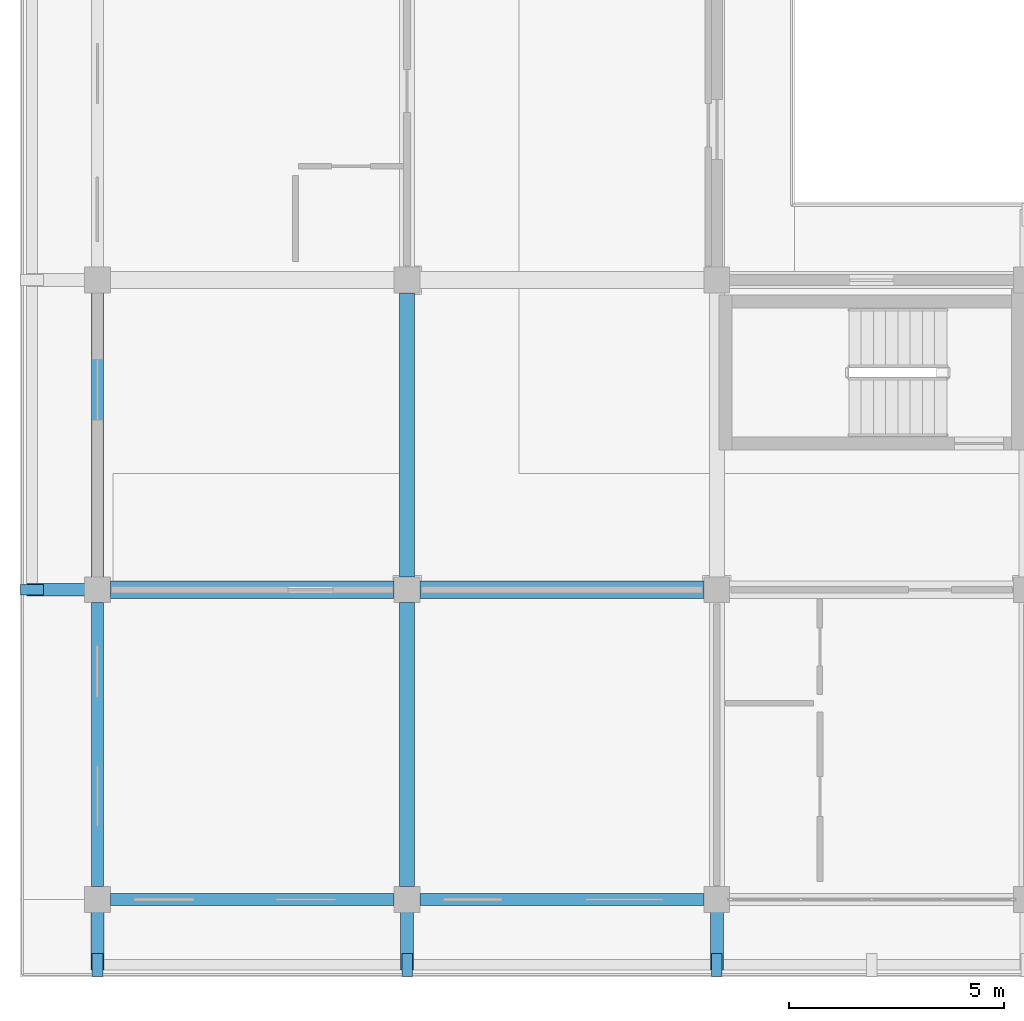
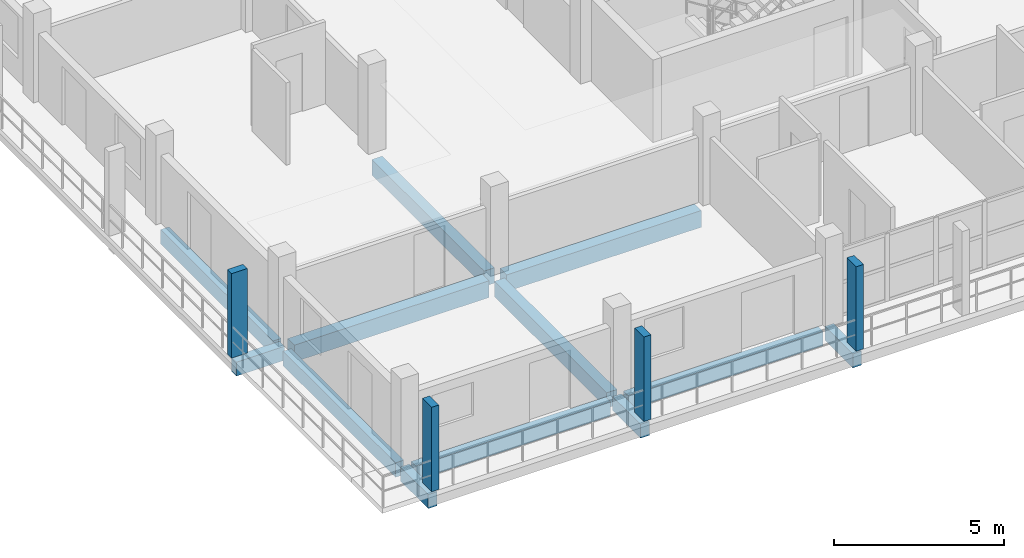
# One storey, part 3 of 78: 12 beams, 4 members.
"""IFC4 building model written with IfcOpenShell, lengths in metres."""

import ifcopenshell
import ifcopenshell.guid

model = None  # the IFC model being written
_history = None  # IfcOwnerHistory: only IFC2X3 demands one
_inside = {}  # id of a spatial element -> (the spatial element, [elements in it])
_under = {}  # id of a project, library or spatial element -> (it, [spatial elements below it])
_declared = {}  # id of a project -> (the project, [libraries it declares])
_typed = {}  # id of a type object -> (the type object, [elements of that type])
_made_of = {}  # id of a material, layer set ... -> (it, [elements and type objects made of it])


def new_model(schema):
    """Start an empty IFC model of exactly this schema.

    Asked for "IFC4X3", IfcOpenShell would pick the latest addendum, in which some entities
    have other attributes; the version numbers below select the first issue.
    IFC2X3 requires an IfcOwnerHistory on every rooted entity: one is made here for all.
    """
    global model, _history
    if schema == "IFC4X3":
        model = ifcopenshell.file(schema_version=(4, 3, 0, 0))
    else:
        model = ifcopenshell.file(schema=schema)
    _inside.clear()
    _under.clear()
    _declared.clear()
    _typed.clear()
    _made_of.clear()
    _history = None
    if model.schema == "IFC2X3":
        org = make("IfcOrganization", Name="unknown")
        user = make(
            "IfcPersonAndOrganization",
            ThePerson=make("IfcPerson", FamilyName="unknown"),
            TheOrganization=org,
        )
        app = make(
            "IfcApplication",
            ApplicationDeveloper=org,
            Version="unknown",
            ApplicationFullName="unknown",
            ApplicationIdentifier="unknown",
        )
        _history = make(
            "IfcOwnerHistory",
            OwningUser=user,
            OwningApplication=app,
            ChangeAction="ADDED",
            CreationDate=0,
        )
    return model


def make(cls, **values):
    """One entity of the class cls with the attributes given. An attribute that is None is left unset."""
    return model.create_entity(
        cls, **{name: value for name, value in values.items() if value is not None}
    )


def rooted(cls, **values):
    """An entity with a GlobalId (a new one), such as an element, a storey or a relation."""
    return make(cls, GlobalId=ifcopenshell.guid.new(), OwnerHistory=_history, **values)


def si_unit(unit_type, name, prefix=None):
    """IfcSIUnit, for example si_unit("LENGTHUNIT", "METRE", prefix="MILLI")."""
    return make("IfcSIUnit", UnitType=unit_type, Prefix=prefix, Name=name)


def assignment(units):
    """IfcUnitAssignment: the units of a project."""
    return None if units is None else make("IfcUnitAssignment", Units=units)


def point(xyz):
    """IfcCartesianPoint."""
    return None if xyz is None else make("IfcCartesianPoint", Coordinates=xyz)


def direction(xyz):
    """IfcDirection."""
    return None if xyz is None else make("IfcDirection", DirectionRatios=xyz)


def frame(location, z_axis=None, x_axis=None):
    """IfcAxis2Placement3D, a coordinate frame: its origin and axes. An axis left out is left unset."""
    return make(
        "IfcAxis2Placement3D",
        Location=point(location),
        Axis=direction(z_axis),
        RefDirection=direction(x_axis),
    )


def frame_2d(location, x_axis=None):
    """IfcAxis2Placement2D, a coordinate frame in the plane: its origin and x axis."""
    return make(
        "IfcAxis2Placement2D", Location=point(location), RefDirection=direction(x_axis)
    )


def origin():
    """The frame at (0, 0, 0) with its axes left unset."""
    return frame((0.0, 0.0, 0.0))


def origin_2d():
    """The frame at (0, 0) in the plane with its x axis left unset."""
    return frame_2d((0.0, 0.0))


def place(relative_to, where):
    """IfcLocalPlacement: puts the frame where relative to a parent placement (None: the world)."""
    return make(
        "IfcLocalPlacement", PlacementRelTo=relative_to, RelativePlacement=where
    )


def context(
    kind, dimensions, precision=None, world=None, true_north=None, identifier=None
):
    """IfcGeometricRepresentationContext, for example the 3D "Model" context."""
    return make(
        "IfcGeometricRepresentationContext",
        ContextIdentifier=identifier,
        ContextType=kind,
        CoordinateSpaceDimension=dimensions,
        Precision=precision,
        WorldCoordinateSystem=world,
        TrueNorth=true_north,
    )


def subcontext(parent, identifier, kind, view, scale=None):
    """IfcGeometricRepresentationSubContext, for example "Body" below "Model"."""
    return make(
        "IfcGeometricRepresentationSubContext",
        ContextIdentifier=identifier,
        ContextType=kind,
        ParentContext=parent,
        TargetScale=scale,
        TargetView=view,
    )


def project(units=None, contexts=None):
    """IfcProject with its units and contexts."""
    return rooted(
        "IfcProject",
        Name="project",
        RepresentationContexts=contexts,
        UnitsInContext=assignment(units),
    )


def spatial(cls, under=None, at=None, **own):
    """A site, building, storey or space (cls), placed at a placement, below another one or the project."""
    s = rooted(cls, ObjectPlacement=at, **own)
    if under is not None:
        _under.setdefault(under.id(), (under, []))[1].append(s)
    return s


def profile(cls, at=None, kind="AREA", **sizes):
    """A parametric profile (cls). Its sizes go by their IFC names, for example OverallWidth=200.0."""
    return make(cls, ProfileType=kind, Position=at, **sizes)


def rectangle(**sizes):
    """IfcRectangleProfileDef."""
    return profile("IfcRectangleProfileDef", **sizes)


def extrude(swept, where, along, depth):
    """IfcExtrudedAreaSolid: the profile swept, set in the frame where, extruded along a direction by depth."""
    return make(
        "IfcExtrudedAreaSolid",
        SweptArea=swept,
        Position=where,
        ExtrudedDirection=direction(along),
        Depth=depth,
    )


def shape(context_of_items, identifier, shape_type, items):
    """IfcShapeRepresentation: the items that make up one representation, for example the "Body"."""
    return make(
        "IfcShapeRepresentation",
        ContextOfItems=context_of_items,
        RepresentationIdentifier=identifier,
        RepresentationType=shape_type,
        Items=items,
    )


def material(Name=None, Category=None):
    """IfcMaterial."""
    return make("IfcMaterial", Name=Name, Category=Category)


def material_profile(
    of_material, cross_section, Name=None, Category=None, Priority=None
):
    """IfcMaterialProfile: a cross section and its material."""
    return make(
        "IfcMaterialProfile",
        Name=Name,
        Material=of_material,
        Profile=cross_section,
        Priority=Priority,
        Category=Category,
    )


def profile_set(profiles, Name=None, composite=None):
    """IfcMaterialProfileSet."""
    return make(
        "IfcMaterialProfileSet",
        Name=Name,
        MaterialProfiles=profiles,
        CompositeProfile=composite,
    )


def made_of(thing, what):
    """Note that an element or type object is made of a material, layer set ...; save() writes the relation."""
    if what is not None:
        _made_of.setdefault(what.id(), (what, []))[1].append(thing)
    return thing


def type_object(cls, material=None, **own):
    """A type object (cls), such as IfcWallType, which elements share."""
    return made_of(rooted(cls, **own), material)


def element(
    cls,
    number,
    at=None,
    inside=None,
    cuts=None,
    type_object=None,
    material=None,
    context=None,
    identifier="Body",
    shape_type=None,
    held_by="IfcProductDefinitionShape",
    body=None,
    shapes=None,
    **own,
):
    """One element of the class cls, such as IfcWall. Its Tag is "e" and its number.

    at: its placement. inside: the storey or other place that contains it. cuts: it is an
    opening in that element (IfcRelVoidsElement). A single representation is given by context,
    identifier, shape_type and body (its items); several are given by shapes. held_by: the class
    of the entity that holds the representations. save() writes the other relations.
    """
    e = rooted(cls, Tag="e%d" % number, ObjectPlacement=at, **own)
    if body is not None:
        shapes = [shape(context, identifier, shape_type, body)]
    if shapes is not None:
        e.Representation = make(held_by, Representations=shapes)
    if inside is not None:
        _inside.setdefault(inside.id(), (inside, []))[1].append(e)
    if cuts is not None:
        rooted(
            "IfcRelVoidsElement", RelatingBuildingElement=cuts, RelatedOpeningElement=e
        )
    if type_object is not None:
        _typed.setdefault(type_object.id(), (type_object, []))[1].append(e)
    return made_of(e, material)


def aggregate(whole, parts):
    """IfcRelAggregates: a whole, such as a stair, and the parts it consists of."""
    return rooted("IfcRelAggregates", RelatingObject=whole, RelatedObjects=parts)


def save(model, path):
    """Write the relations noted so far, then the file.

    IfcRelAggregates (storeys below a building ...), IfcRelContainedInSpatialStructure (elements
    in a storey), IfcRelDefinesByType, IfcRelAssociatesMaterial and IfcRelDeclares: one each for
    every whole, place, type object, material and project.
    """
    for whole, parts in _under.values():
        aggregate(whole, parts)
    for where, things in _inside.values():
        rooted(
            "IfcRelContainedInSpatialStructure",
            RelatedElements=things,
            RelatingStructure=where,
        )
    for kind, things in _typed.values():
        rooted("IfcRelDefinesByType", RelatedObjects=things, RelatingType=kind)
    for what, things in _made_of.values():
        rooted("IfcRelAssociatesMaterial", RelatedObjects=things, RelatingMaterial=what)
    for by, libraries in _declared.values():
        rooted("IfcRelDeclares", RelatingContext=by, RelatedDefinitions=libraries)
    model.write(path)


model = new_model("IFC4")

# Units and contexts
model_context = context("Model", 3, precision=1e-05, world=origin(), true_north=direction((0.0, 1.0)))
body_context = subcontext(model_context, "Body", "Model", "MODEL_VIEW")
ifc_project = project(units=[si_unit("LENGTHUNIT", "METRE"), si_unit("AREAUNIT", "SQUARE_METRE"), si_unit("VOLUMEUNIT", "CUBIC_METRE"), si_unit("PLANEANGLEUNIT", "RADIAN"), si_unit("MASSUNIT", "GRAM", prefix="KILO")], contexts=[model_context])

# Site, building, storey
site_placement = place(None, origin())
site = spatial("IfcSite", under=ifc_project, at=site_placement, CompositionType="ELEMENT")
building_placement = place(site_placement, origin())
building = spatial("IfcBuilding", under=site, at=building_placement, Name="Suanplinth Sawtooth Commons", CompositionType="ELEMENT")
storey_placement = place(building_placement, frame((0.0, 0.0, 15.39990234375)))
storey = spatial("IfcBuildingStorey", under=building, at=storey_placement, Name="L04", CompositionType="ELEMENT", Elevation=15.39990234375)

# Beams
ifc_material_1 = material(Name="Precast concrete C40/50", Category="concrete")
ifc_material_profile_1 = material_profile(ifc_material_1, rectangle(XDim=0.39990234375, YDim=0.60009765625, at=origin_2d()), Name="PC-GDR 400x600")
ifc_profile_set_1 = profile_set([ifc_material_profile_1], Name="Precast concrete C40/50")
beam_type_1 = type_object("IfcBeamType", Name="B-05", PredefinedType="USERDEFINED", material=ifc_profile_set_1)
beam_1_placement = place(storey_placement, frame((0.300048828125, 7.199951171875, -0.52001953125), z_axis=(1.0, 0.0, 0.0), x_axis=(0.0, 1.0, 0.0)))
element("IfcBeam", 1, at=beam_1_placement, inside=storey, type_object=beam_type_1, Name="BMX-L04-D-0-1", ObjectType="GIRDER", PredefinedType="USERDEFINED", context=body_context, shape_type="SweptSolid", body=[
    extrude(rectangle(XDim=0.39990234375, YDim=0.60009765625, at=origin_2d()), origin(), (0.0, 0.0, 1.0), 6.599853515625),
])
beam_2_placement = place(storey_placement, frame((7.5, 7.199951171875, -0.52001953125), z_axis=(1.0, 0.0, 0.0), x_axis=(0.0, 1.0, 0.0)))
element("IfcBeam", 2, at=beam_2_placement, inside=storey, type_object=beam_type_1, Name="BMX-L04-D-1-1", ObjectType="GIRDER", PredefinedType="USERDEFINED", context=body_context, shape_type="SweptSolid", body=[
    extrude(rectangle(XDim=0.39990234375, YDim=0.60009765625, at=origin_2d()), origin(), (0.0, 0.0, 1.0), 6.60009765625),
])
ifc_material_profile_2 = material_profile(ifc_material_1, rectangle(XDim=0.35009765625, YDim=0.550048828125, at=origin_2d()), Name="PC-BM 350x550")
ifc_profile_set_2 = profile_set([ifc_material_profile_2], Name="Precast concrete C40/50")
beam_type_2 = type_object("IfcBeamType", Name="B-06", PredefinedType="BEAM", material=ifc_profile_set_2)
beam_3_placement = place(storey_placement, frame((7.199951171875, 0.300048828125, -0.494873046875), z_axis=(0.0, 1.0, 0.0), x_axis=(-1.0, 0.0, 0.0)))
element("IfcBeam", 3, at=beam_3_placement, inside=storey, type_object=beam_type_2, Name="BMY-L04-D-1-0", PredefinedType="BEAM", context=body_context, shape_type="SweptSolid", body=[
    extrude(rectangle(XDim=0.35009765625, YDim=0.550048828125, at=origin_2d()), origin(), (0.0, 0.0, 1.0), 6.599853515625),
])
beam_4_placement = place(storey_placement, frame((7.199951171875, 7.5, -0.494873046875), z_axis=(0.0, 1.0, 0.0), x_axis=(-1.0, 0.0, 0.0)))
element("IfcBeam", 4, at=beam_4_placement, inside=storey, type_object=beam_type_2, Name="BMY-L04-D-1-1", PredefinedType="BEAM", context=body_context, shape_type="SweptSolid", body=[
    extrude(rectangle(XDim=0.35009765625, YDim=0.550048828125, at=origin_2d()), origin(), (0.0, 0.0, 1.0), 6.60009765625),
])
ifc_material_profile_3 = material_profile(ifc_material_1, rectangle(XDim=0.300048828125, YDim=0.5, at=origin_2d()), Name="PC-BM 300x500")
ifc_profile_set_3 = profile_set([ifc_material_profile_3], Name="Precast concrete C40/50")
beam_type_3 = type_object("IfcBeamType", Name="B-07", PredefinedType="BEAM", material=ifc_profile_set_3)
for number, where, z_axis, x_axis, name in (
    (5, (0.0, 0.0, -0.429931640625), (0.0, -1.0, 0.0), (1.0, 0.0, 0.0), "Balcony Outrigger L04-D-S-0"),
    (6, (7.199951171875, 0.0, -0.429931640625), (0.0, -1.0, 0.0), (1.0, 0.0, 0.0), "Balcony Outrigger L04-D-S-1"),
    (7, (14.39990234375, 0.0, -0.429931640625), (0.0, -1.0, 0.0), (1.0, 0.0, 0.0), "Balcony Outrigger L04-D-S-2"),
    (8, (0.0, 7.199951171875, -0.429931640625), (-1.0, 0.0, 0.0), (0.0, -1.0, 0.0), "Balcony Outrigger L04-D-W-1"),
):
    element("IfcBeam", number, at=place(storey_placement, frame(where, z_axis=z_axis, x_axis=x_axis)), inside=storey, type_object=beam_type_3, Name=name, PredefinedType="BEAM", context=body_context, shape_type="SweptSolid", body=[
        extrude(rectangle(XDim=0.300048828125, YDim=0.5, at=origin_2d()), origin(), (0.0, 0.0, 1.0), 1.639892578125),
    ])
ifc_material_profile_4 = material_profile(ifc_material_1, rectangle(XDim=0.280029296875, YDim=0.52001953125, at=origin_2d()), Name="PC-SP 280x520")
ifc_profile_set_4 = profile_set([ifc_material_profile_4], Name="Precast concrete C40/50")
beam_type_4 = type_object("IfcBeamType", Name="B-08", PredefinedType="SPANDREL", material=ifc_profile_set_4)
beam_5_placement = place(storey_placement, frame((0.300048828125, 0.0, -0.47998046875), z_axis=(1.0, 0.0, 0.0), x_axis=(0.0, 1.0, 0.0)))
element("IfcBeam", 9, at=beam_5_placement, inside=storey, type_object=beam_type_4, Name="BMX-L04-D-0-0", PredefinedType="SPANDREL", context=body_context, shape_type="SweptSolid", body=[
    extrude(rectangle(XDim=0.280029296875, YDim=0.52001953125, at=origin_2d()), origin(), (0.0, 0.0, 1.0), 6.599853515625),
])
beam_6_placement = place(storey_placement, frame((7.5, 0.0, -0.47998046875), z_axis=(1.0, 0.0, 0.0), x_axis=(0.0, 1.0, 0.0)))
element("IfcBeam", 10, at=beam_6_placement, inside=storey, type_object=beam_type_4, Name="BMX-L04-D-1-0", PredefinedType="SPANDREL", context=body_context, shape_type="SweptSolid", body=[
    extrude(rectangle(XDim=0.280029296875, YDim=0.52001953125, at=origin_2d()), origin(), (0.0, 0.0, 1.0), 6.60009765625),
])
beam_7_placement = place(storey_placement, frame((0.0, 0.300048828125, -0.47998046875), z_axis=(0.0, 1.0, 0.0), x_axis=(-1.0, 0.0, 0.0)))
element("IfcBeam", 11, at=beam_7_placement, inside=storey, type_object=beam_type_4, Name="BMY-L04-D-0-0", PredefinedType="SPANDREL", context=body_context, shape_type="SweptSolid", body=[
    extrude(rectangle(XDim=0.280029296875, YDim=0.52001953125, at=origin_2d()), origin(), (0.0, 0.0, 1.0), 6.599853515625),
])
beam_8_placement = place(storey_placement, frame((0.0, 7.5, -0.47998046875), z_axis=(0.0, 1.0, 0.0), x_axis=(-1.0, 0.0, 0.0)))
element("IfcBeam", 12, at=beam_8_placement, inside=storey, type_object=beam_type_4, Name="BMY-L04-D-0-1", PredefinedType="SPANDREL", context=body_context, shape_type="SweptSolid", body=[
    extrude(rectangle(XDim=0.280029296875, YDim=0.52001953125, at=origin_2d()), origin(), (0.0, 0.0, 1.0), 6.60009765625),
])

# Members
ifc_material_2 = material(Name="Pigmented precast concrete C40/50", Category="concrete")
ifc_material_profile_5 = material_profile(ifc_material_2, rectangle(XDim=0.25, YDim=0.5400390625, at=origin_2d()), Name="PC-FIN 250x540")
ifc_profile_set_5 = profile_set([ifc_material_profile_5], Name="Pigmented precast concrete C40/50")
member_type = type_object("IfcMemberType", Name="M-11", PredefinedType="USERDEFINED", material=ifc_profile_set_5)
for number, where, z_axis, x_axis, name in (
    (13, (0.0, -1.52001953125, 0.0), (0.0, 0.0, 1.0), (1.0, 0.0, 0.0), "Upright Solar Blade L04-D-S-01"),
    (14, (7.199951171875, -1.52001953125, 0.0), (0.0, 0.0, 1.0), (1.0, 0.0, 0.0), "Upright Solar Blade L04-D-S-02"),
    (15, (14.39990234375, -1.52001953125, 0.0), (0.0, 0.0, 1.0), (1.0, 0.0, 0.0), "Upright Solar Blade L04-D-S-03"),
    (16, (-1.52001953125, 7.199951171875, 0.0), (0.0, 0.0, 1.0), (0.0, 1.0, 0.0), "Upright Solar Blade L04-D-W-08"),
):
    element("IfcMember", number, at=place(storey_placement, frame(where, z_axis=z_axis, x_axis=x_axis)), inside=storey, type_object=member_type, Name=name, ObjectType="SHADING FIN", PredefinedType="USERDEFINED", context=body_context, shape_type="SweptSolid", body=[
        extrude(rectangle(XDim=0.25, YDim=0.5400390625, at=origin_2d()), origin(), (0.0, 0.0, 1.0), 3.030029296875),
    ])

save(model, "model.ifc")
